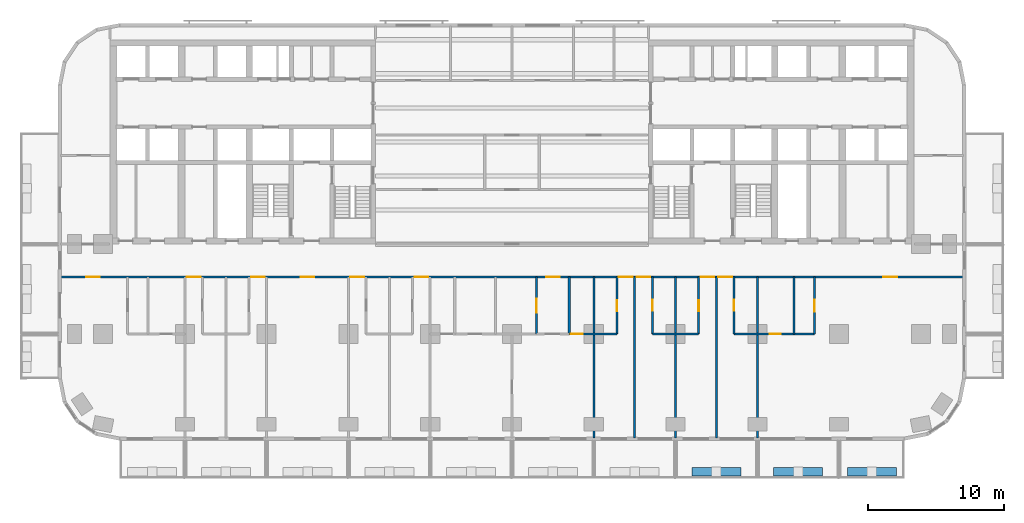
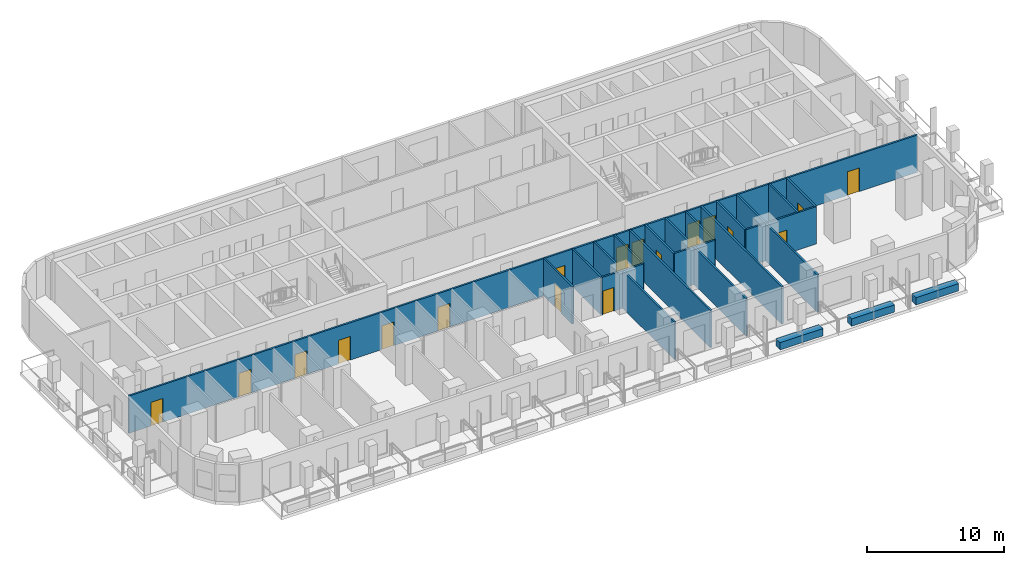
# One storey, part 5 of 13: 20 doors, 20 walls, 20 openings.
"""IFC4 building model written with IfcOpenShell, lengths in metres."""

import ifcopenshell
import ifcopenshell.guid

model = None  # the IFC model being written
_history = None  # IfcOwnerHistory: only IFC2X3 demands one
_inside = {}  # id of a spatial element -> (the spatial element, [elements in it])
_under = {}  # id of a project, library or spatial element -> (it, [spatial elements below it])
_declared = {}  # id of a project -> (the project, [libraries it declares])
_typed = {}  # id of a type object -> (the type object, [elements of that type])
_made_of = {}  # id of a material, layer set ... -> (it, [elements and type objects made of it])


def new_model(schema):
    """Start an empty IFC model of exactly this schema.

    Asked for "IFC4X3", IfcOpenShell would pick the latest addendum, in which some entities
    have other attributes; the version numbers below select the first issue.
    IFC2X3 requires an IfcOwnerHistory on every rooted entity: one is made here for all.
    """
    global model, _history
    if schema == "IFC4X3":
        model = ifcopenshell.file(schema_version=(4, 3, 0, 0))
    else:
        model = ifcopenshell.file(schema=schema)
    _inside.clear()
    _under.clear()
    _declared.clear()
    _typed.clear()
    _made_of.clear()
    _history = None
    if model.schema == "IFC2X3":
        org = make("IfcOrganization", Name="unknown")
        user = make(
            "IfcPersonAndOrganization",
            ThePerson=make("IfcPerson", FamilyName="unknown"),
            TheOrganization=org,
        )
        app = make(
            "IfcApplication",
            ApplicationDeveloper=org,
            Version="unknown",
            ApplicationFullName="unknown",
            ApplicationIdentifier="unknown",
        )
        _history = make(
            "IfcOwnerHistory",
            OwningUser=user,
            OwningApplication=app,
            ChangeAction="ADDED",
            CreationDate=0,
        )
    return model


def make(cls, **values):
    """One entity of the class cls with the attributes given. An attribute that is None is left unset."""
    return model.create_entity(
        cls, **{name: value for name, value in values.items() if value is not None}
    )


def rooted(cls, **values):
    """An entity with a GlobalId (a new one), such as an element, a storey or a relation."""
    return make(cls, GlobalId=ifcopenshell.guid.new(), OwnerHistory=_history, **values)


def si_unit(unit_type, name, prefix=None):
    """IfcSIUnit, for example si_unit("LENGTHUNIT", "METRE", prefix="MILLI")."""
    return make("IfcSIUnit", UnitType=unit_type, Prefix=prefix, Name=name)


def assignment(units):
    """IfcUnitAssignment: the units of a project."""
    return None if units is None else make("IfcUnitAssignment", Units=units)


def point(xyz):
    """IfcCartesianPoint."""
    return None if xyz is None else make("IfcCartesianPoint", Coordinates=xyz)


def direction(xyz):
    """IfcDirection."""
    return None if xyz is None else make("IfcDirection", DirectionRatios=xyz)


def frame(location, z_axis=None, x_axis=None):
    """IfcAxis2Placement3D, a coordinate frame: its origin and axes. An axis left out is left unset."""
    return make(
        "IfcAxis2Placement3D",
        Location=point(location),
        Axis=direction(z_axis),
        RefDirection=direction(x_axis),
    )


def frame_2d(location, x_axis=None):
    """IfcAxis2Placement2D, a coordinate frame in the plane: its origin and x axis."""
    return make(
        "IfcAxis2Placement2D", Location=point(location), RefDirection=direction(x_axis)
    )


def origin():
    """The frame at (0, 0, 0) with its axes left unset."""
    return frame((0.0, 0.0, 0.0))


def place(relative_to, where):
    """IfcLocalPlacement: puts the frame where relative to a parent placement (None: the world)."""
    return make(
        "IfcLocalPlacement", PlacementRelTo=relative_to, RelativePlacement=where
    )


def context(
    kind, dimensions, precision=None, world=None, true_north=None, identifier=None
):
    """IfcGeometricRepresentationContext, for example the 3D "Model" context."""
    return make(
        "IfcGeometricRepresentationContext",
        ContextIdentifier=identifier,
        ContextType=kind,
        CoordinateSpaceDimension=dimensions,
        Precision=precision,
        WorldCoordinateSystem=world,
        TrueNorth=true_north,
    )


def subcontext(parent, identifier, kind, view, scale=None):
    """IfcGeometricRepresentationSubContext, for example "Body" below "Model"."""
    return make(
        "IfcGeometricRepresentationSubContext",
        ContextIdentifier=identifier,
        ContextType=kind,
        ParentContext=parent,
        TargetScale=scale,
        TargetView=view,
    )


def project(units=None, contexts=None):
    """IfcProject with its units and contexts."""
    return rooted(
        "IfcProject",
        Name="project",
        RepresentationContexts=contexts,
        UnitsInContext=assignment(units),
    )


def spatial(cls, under=None, at=None, **own):
    """A site, building, storey or space (cls), placed at a placement, below another one or the project."""
    s = rooted(cls, ObjectPlacement=at, **own)
    if under is not None:
        _under.setdefault(under.id(), (under, []))[1].append(s)
    return s


def profile(cls, at=None, kind="AREA", **sizes):
    """A parametric profile (cls). Its sizes go by their IFC names, for example OverallWidth=200.0."""
    return make(cls, ProfileType=kind, Position=at, **sizes)


def rectangle(**sizes):
    """IfcRectangleProfileDef."""
    return profile("IfcRectangleProfileDef", **sizes)


def extrude(swept, where, along, depth):
    """IfcExtrudedAreaSolid: the profile swept, set in the frame where, extruded along a direction by depth."""
    return make(
        "IfcExtrudedAreaSolid",
        SweptArea=swept,
        Position=where,
        ExtrudedDirection=direction(along),
        Depth=depth,
    )


def shape(context_of_items, identifier, shape_type, items):
    """IfcShapeRepresentation: the items that make up one representation, for example the "Body"."""
    return make(
        "IfcShapeRepresentation",
        ContextOfItems=context_of_items,
        RepresentationIdentifier=identifier,
        RepresentationType=shape_type,
        Items=items,
    )


def material(Name=None, Category=None):
    """IfcMaterial."""
    return make("IfcMaterial", Name=Name, Category=Category)


def layer(
    of_material, thickness, ventilated=None, Name=None, Category=None, Priority=None
):
    """IfcMaterialLayer: one layer of a wall or slab, of a material (None: an air gap)."""
    return make(
        "IfcMaterialLayer",
        Material=of_material,
        LayerThickness=thickness,
        IsVentilated=ventilated,
        Name=Name,
        Category=Category,
        Priority=Priority,
    )


def layer_set(layers, Name=None):
    """IfcMaterialLayerSet."""
    return make("IfcMaterialLayerSet", MaterialLayers=layers, LayerSetName=Name)


def made_of(thing, what):
    """Note that an element or type object is made of a material, layer set ...; save() writes the relation."""
    if what is not None:
        _made_of.setdefault(what.id(), (what, []))[1].append(thing)
    return thing


def type_object(cls, material=None, **own):
    """A type object (cls), such as IfcWallType, which elements share."""
    return made_of(rooted(cls, **own), material)


def element(
    cls,
    number,
    at=None,
    inside=None,
    cuts=None,
    type_object=None,
    material=None,
    context=None,
    identifier="Body",
    shape_type=None,
    held_by="IfcProductDefinitionShape",
    body=None,
    shapes=None,
    **own,
):
    """One element of the class cls, such as IfcWall. Its Tag is "e" and its number.

    at: its placement. inside: the storey or other place that contains it. cuts: it is an
    opening in that element (IfcRelVoidsElement). A single representation is given by context,
    identifier, shape_type and body (its items); several are given by shapes. held_by: the class
    of the entity that holds the representations. save() writes the other relations.
    """
    e = rooted(cls, Tag="e%d" % number, ObjectPlacement=at, **own)
    if body is not None:
        shapes = [shape(context, identifier, shape_type, body)]
    if shapes is not None:
        e.Representation = make(held_by, Representations=shapes)
    if inside is not None:
        _inside.setdefault(inside.id(), (inside, []))[1].append(e)
    if cuts is not None:
        rooted(
            "IfcRelVoidsElement", RelatingBuildingElement=cuts, RelatedOpeningElement=e
        )
    if type_object is not None:
        _typed.setdefault(type_object.id(), (type_object, []))[1].append(e)
    return made_of(e, material)


def fill(opening, filler):
    """IfcRelFillsElement: the door or window that sits in an opening."""
    return rooted(
        "IfcRelFillsElement",
        RelatingOpeningElement=opening,
        RelatedBuildingElement=filler,
    )


def aggregate(whole, parts):
    """IfcRelAggregates: a whole, such as a stair, and the parts it consists of."""
    return rooted("IfcRelAggregates", RelatingObject=whole, RelatedObjects=parts)


def save(model, path):
    """Write the relations noted so far, then the file.

    IfcRelAggregates (storeys below a building ...), IfcRelContainedInSpatialStructure (elements
    in a storey), IfcRelDefinesByType, IfcRelAssociatesMaterial and IfcRelDeclares: one each for
    every whole, place, type object, material and project.
    """
    for whole, parts in _under.values():
        aggregate(whole, parts)
    for where, things in _inside.values():
        rooted(
            "IfcRelContainedInSpatialStructure",
            RelatedElements=things,
            RelatingStructure=where,
        )
    for kind, things in _typed.values():
        rooted("IfcRelDefinesByType", RelatedObjects=things, RelatingType=kind)
    for what, things in _made_of.values():
        rooted("IfcRelAssociatesMaterial", RelatedObjects=things, RelatingMaterial=what)
    for by, libraries in _declared.values():
        rooted("IfcRelDeclares", RelatingContext=by, RelatedDefinitions=libraries)
    model.write(path)


model = new_model("IFC4")

# Units and contexts
model_context = context("Model", 3, precision=1e-05, world=origin(), true_north=direction((0.0, 1.0)))
body_context = subcontext(model_context, "Body", "Model", "MODEL_VIEW")
ifc_project = project(units=[si_unit("LENGTHUNIT", "METRE"), si_unit("AREAUNIT", "SQUARE_METRE"), si_unit("VOLUMEUNIT", "CUBIC_METRE"), si_unit("PLANEANGLEUNIT", "RADIAN"), si_unit("MASSUNIT", "GRAM", prefix="KILO")], contexts=[model_context])

# Site, building, storey
site_placement = place(None, origin())
site = spatial("IfcSite", under=ifc_project, at=site_placement, CompositionType="ELEMENT")
building_placement = place(site_placement, origin())
building = spatial("IfcBuilding", under=site, at=building_placement, Name="Torana Hotel and Residences", CompositionType="ELEMENT")
storey_placement = place(building_placement, frame((0.0, 0.0, 81.60009765625)))
storey = spatial("IfcBuildingStorey", under=building, at=storey_placement, Name="L20", CompositionType="ELEMENT", Elevation=81.60009765625)

# Wall
ifc_material_1 = material(Name="Gypsum plaster")
ifc_layer_1 = layer(ifc_material_1, 0.014892578125, Name="Plaster", Category="finish")
ifc_material_2 = material(Name="Concrete blockwork", Category="masonry")
ifc_layer_2 = layer(ifc_material_2, 0.1201171875, Name="Blockwork", Category="structure")
ifc_layer_3 = layer(ifc_material_1, 0.014892578125, Name="Plaster", Category="finish")
ifc_layer_set_1 = layer_set([ifc_layer_1, ifc_layer_2, ifc_layer_3], Name="FIRE PARTITION 150 BLOCKWORK")
wall_type_1 = type_object("IfcWallType", Name="FIRE PARTITION 150 BLOCKWORK", PredefinedType="PARTITIONING", material=ifc_layer_set_1)
wall_1_placement = place(storey_placement, frame((4.199951171875, -21.60009765625, 0.0), z_axis=(0.0, 0.0, 1.0), x_axis=(0.0, 1.0, 0.0)))
element("IfcWall", 1, at=wall_1_placement, inside=storey, type_object=wall_type_1, Name="Partition L20", PredefinedType="PARTITIONING", context=body_context, shape_type="SweptSolid", body=[
    extrude(rectangle(XDim=4.2001953125, YDim=0.14990234375, at=frame_2d((2.10009765625, 0.0))), origin(), (0.0, 0.0, 1.0), 3.31982421875),
])

# Wall, opening, door
wall_2_placement = place(storey_placement, frame((1.800048828125, -21.60009765625, 0.0), z_axis=(0.0, 0.0, 1.0), x_axis=(0.0, 1.0, 0.0)))
wall_2 = element("IfcWall", 2, at=wall_2_placement, inside=storey, type_object=wall_type_1, Name="Partition L20", PredefinedType="PARTITIONING", context=body_context, shape_type="SweptSolid", body=[
    extrude(rectangle(XDim=4.2001953125, YDim=0.14990234375, at=frame_2d((2.10009765625, 0.0))), origin(), (0.0, 0.0, 1.0), 3.31982421875),
])
opening_1_placement = place(wall_2_placement, frame((1.580078125, 0.0, 0.0)))
opening_1 = element("IfcOpeningElement", 3, at=opening_1_placement, cuts=wall_2, Name="Opening L20-67", PredefinedType="OPENING", context=body_context, shape_type="SweptSolid", body=[
    extrude(rectangle(XDim=1.0, YDim=2.10009765625, at=frame_2d((0.5, 1.050048828125))), frame((0.0, 0.0849609375, 0.0), z_axis=(0.0, -1.0, 0.0), x_axis=(1.0, 0.0, 0.0)), (0.0, 0.0, 1.0), 0.169921875),
])
ifc_material_3 = material(Name="Steel S235", Category="steel")
door_type_1 = type_object("IfcDoorType", Name="ENTRY FIRE DOOR D6 1000x2100", OperationType="SINGLE_SWING_LEFT", PredefinedType="DOOR", material=ifc_material_3)
door_1_placement = place(opening_1_placement, origin())
door_1 = element("IfcDoor", 4, at=door_1_placement, inside=storey, type_object=door_type_1, Name="Door L20", OperationType="SINGLE_SWING_RIGHT", OverallHeight=2.10009765625, OverallWidth=1.0, PredefinedType="DOOR", context=body_context, shape_type="SweptSolid", body=[
    extrude(rectangle(XDim=1.0, YDim=2.10009765625, at=frame_2d((0.5, 1.050048828125))), frame((0.0, 0.02490234375, 0.0), z_axis=(0.0, -1.0, 0.0), x_axis=(1.0, 0.0, 0.0)), (0.0, 0.0, 1.0), 0.050048828125),
])
fill(opening_1, door_1)

# Wall, openings, doors
wall_3_placement = place(storey_placement, frame((-33.1201171875, -17.39990234375, 0.0), z_axis=(0.0, 0.0, 1.0), x_axis=(1.0, 0.0, 0.0)))
wall_3 = element("IfcWall", 5, at=wall_3_placement, inside=storey, type_object=wall_type_1, Name="Partition L20", PredefinedType="PARTITIONING", context=body_context, shape_type="SweptSolid", body=[
    extrude(rectangle(XDim=66.240234375, YDim=0.14990234375, at=frame_2d((33.1201171875, 0.0))), origin(), (0.0, 0.0, 1.0), 3.31982421875),
])
opening_2_placement = place(wall_3_placement, frame((9.27001953125, 0.0, 0.0)))
opening_2 = element("IfcOpeningElement", 6, at=opening_2_placement, cuts=wall_3, Name="Opening L20-38", PredefinedType="OPENING", context=body_context, shape_type="SweptSolid", body=[
    extrude(rectangle(XDim=1.0, YDim=2.10009765625, at=frame_2d((0.5, 1.050048828125))), frame((0.0, 0.0849609375, 0.0), z_axis=(0.0, -1.0, 0.0), x_axis=(1.0, 0.0, 0.0)), (0.0, 0.0, 1.0), 0.169921875),
])
opening_3_placement = place(wall_3_placement, frame((13.969970703125, 0.0, 0.0)))
opening_3 = element("IfcOpeningElement", 7, at=opening_3_placement, cuts=wall_3, Name="Opening L20-39", PredefinedType="OPENING", context=body_context, shape_type="SweptSolid", body=[
    extrude(rectangle(XDim=1.0, YDim=2.10009765625, at=frame_2d((0.5, 1.050048828125))), frame((0.0, 0.0849609375, 0.0), z_axis=(0.0, -1.0, 0.0), x_axis=(1.0, 0.0, 0.0)), (0.0, 0.0, 1.0), 0.169921875),
])
opening_4_placement = place(wall_3_placement, frame((17.6201171875, 0.0, 0.0)))
opening_4 = element("IfcOpeningElement", 8, at=opening_4_placement, cuts=wall_3, Name="Opening L20-40", PredefinedType="OPENING", context=body_context, shape_type="SweptSolid", body=[
    extrude(rectangle(XDim=1.0, YDim=2.10009765625, at=frame_2d((0.5, 1.050048828125))), frame((0.0, 0.0849609375, 0.0), z_axis=(0.0, -1.0, 0.0), x_axis=(1.0, 0.0, 0.0)), (0.0, 0.0, 1.0), 0.169921875),
])
opening_5_placement = place(wall_3_placement, frame((21.27001953125, 0.0, 0.0)))
opening_5 = element("IfcOpeningElement", 9, at=opening_5_placement, cuts=wall_3, Name="Opening L20-41", PredefinedType="OPENING", context=body_context, shape_type="SweptSolid", body=[
    extrude(rectangle(XDim=1.0, YDim=2.10009765625, at=frame_2d((0.5, 1.050048828125))), frame((0.0, 0.0849609375, 0.0), z_axis=(0.0, -1.0, 0.0), x_axis=(1.0, 0.0, 0.0)), (0.0, 0.0, 1.0), 0.169921875),
])
opening_6_placement = place(wall_3_placement, frame((25.969970703125, 0.0, 0.0)))
opening_6 = element("IfcOpeningElement", 10, at=opening_6_placement, cuts=wall_3, Name="Opening L20-42", PredefinedType="OPENING", context=body_context, shape_type="SweptSolid", body=[
    extrude(rectangle(XDim=1.0, YDim=2.10009765625, at=frame_2d((0.5, 1.050048828125))), frame((0.0, 0.0849609375, 0.0), z_axis=(0.0, -1.0, 0.0), x_axis=(1.0, 0.0, 0.0)), (0.0, 0.0, 1.0), 0.169921875),
])
opening_7_placement = place(wall_3_placement, frame((35.6201171875, 0.0, 0.0)))
opening_7 = element("IfcOpeningElement", 11, at=opening_7_placement, cuts=wall_3, Name="Opening L20-43", PredefinedType="OPENING", context=body_context, shape_type="SweptSolid", body=[
    extrude(rectangle(XDim=1.0, YDim=2.10009765625, at=frame_2d((0.5, 1.050048828125))), frame((0.0, 0.0849609375, 0.0), z_axis=(0.0, -1.0, 0.0), x_axis=(1.0, 0.0, 0.0)), (0.0, 0.0, 1.0), 0.169921875),
])
opening_8_placement = place(wall_3_placement, frame((40.969970703125, 0.0, 0.0)))
opening_8 = element("IfcOpeningElement", 12, at=opening_8_placement, cuts=wall_3, Name="Opening L20-44", PredefinedType="OPENING", context=body_context, shape_type="SweptSolid", body=[
    extrude(rectangle(XDim=1.0, YDim=2.10009765625, at=frame_2d((0.5, 1.050048828125))), frame((0.0, 0.0849609375, 0.0), z_axis=(0.0, -1.0, 0.0), x_axis=(1.0, 0.0, 0.0)), (0.0, 0.0, 1.0), 0.169921875),
])
opening_9_placement = place(wall_3_placement, frame((42.27001953125, 0.0, 0.0)))
opening_9 = element("IfcOpeningElement", 13, at=opening_9_placement, cuts=wall_3, Name="Opening L20-45", PredefinedType="OPENING", context=body_context, shape_type="SweptSolid", body=[
    extrude(rectangle(XDim=1.0, YDim=2.10009765625, at=frame_2d((0.5, 1.050048828125))), frame((0.0, 0.0849609375, 0.0), z_axis=(0.0, -1.0, 0.0), x_axis=(1.0, 0.0, 0.0)), (0.0, 0.0, 1.0), 0.169921875),
])
opening_10_placement = place(wall_3_placement, frame((46.969970703125, 0.0, 0.0)))
opening_10 = element("IfcOpeningElement", 14, at=opening_10_placement, cuts=wall_3, Name="Opening L20-46", PredefinedType="OPENING", context=body_context, shape_type="SweptSolid", body=[
    extrude(rectangle(XDim=1.0, YDim=2.10009765625, at=frame_2d((0.5, 1.050048828125))), frame((0.0, 0.0849609375, 0.0), z_axis=(0.0, -1.0, 0.0), x_axis=(1.0, 0.0, 0.0)), (0.0, 0.0, 1.0), 0.169921875),
])
opening_11_placement = place(wall_3_placement, frame((48.27001953125, 0.0, 0.0)))
opening_11 = element("IfcOpeningElement", 15, at=opening_11_placement, cuts=wall_3, Name="Opening L20-47", PredefinedType="OPENING", context=body_context, shape_type="SweptSolid", body=[
    extrude(rectangle(XDim=1.0, YDim=2.10009765625, at=frame_2d((0.5, 1.050048828125))), frame((0.0, 0.0849609375, 0.0), z_axis=(0.0, -1.0, 0.0), x_axis=(1.0, 0.0, 0.0)), (0.0, 0.0, 1.0), 0.169921875),
])
opening_12_placement = place(wall_3_placement, frame((1.8701171875, 0.0, 0.0)))
opening_12 = element("IfcOpeningElement", 16, at=opening_12_placement, cuts=wall_3, Name="Opening L20-48", PredefinedType="OPENING", context=body_context, shape_type="SweptSolid", body=[
    extrude(rectangle(XDim=1.0, YDim=2.10009765625, at=frame_2d((0.5, 1.050048828125))), frame((0.0, 0.0849609375, 0.0), z_axis=(0.0, -1.0, 0.0), x_axis=(1.0, 0.0, 0.0)), (0.0, 0.0, 1.0), 0.169921875),
])
opening_13_placement = place(wall_3_placement, frame((60.3701171875, 0.0, 0.0)))
opening_13 = element("IfcOpeningElement", 17, at=opening_13_placement, cuts=wall_3, Name="Opening L20-49", PredefinedType="OPENING", context=body_context, shape_type="SweptSolid", body=[
    extrude(rectangle(XDim=1.0, YDim=2.10009765625, at=frame_2d((0.5, 1.050048828125))), frame((0.0, 0.0849609375, 0.0), z_axis=(0.0, -1.0, 0.0), x_axis=(1.0, 0.0, 0.0)), (0.0, 0.0, 1.0), 0.169921875),
])
door_2_placement = place(opening_2_placement, frame((0.5, 0.0, 0.0), z_axis=(0.0, 0.0, 1.0), x_axis=(-1.0, 0.0, 0.0)))
door_2 = element("IfcDoor", 18, at=door_2_placement, inside=storey, type_object=door_type_1, Name="Door L20", OperationType="SINGLE_SWING_LEFT", OverallHeight=2.10009765625, OverallWidth=1.0, PredefinedType="DOOR", context=body_context, shape_type="SweptSolid", body=[
    extrude(rectangle(XDim=1.0, YDim=2.10009765625, at=frame_2d((0.0, 1.050048828125))), frame((0.0, -0.02490234375, 0.0), z_axis=(0.0, 1.0, 0.0), x_axis=(-1.0, 0.0, 0.0)), (0.0, 0.0, 1.0), 0.050048828125),
])
fill(opening_2, door_2)
door_3_placement = place(opening_3_placement, frame((0.5, 0.0, 0.0), z_axis=(0.0, 0.0, 1.0), x_axis=(-1.0, 0.0, 0.0)))
door_3 = element("IfcDoor", 19, at=door_3_placement, inside=storey, type_object=door_type_1, Name="Door L20", OperationType="SINGLE_SWING_LEFT", OverallHeight=2.10009765625, OverallWidth=1.0, PredefinedType="DOOR", context=body_context, shape_type="SweptSolid", body=[
    extrude(rectangle(XDim=1.0, YDim=2.10009765625, at=frame_2d((0.0, 1.050048828125))), frame((0.0, -0.02490234375, 0.0), z_axis=(0.0, 1.0, 0.0), x_axis=(-1.0, 0.0, 0.0)), (0.0, 0.0, 1.0), 0.050048828125),
])
fill(opening_3, door_3)
door_4_placement = place(opening_4_placement, frame((0.5, 0.0, 0.0), z_axis=(0.0, 0.0, 1.0), x_axis=(-1.0, 0.0, 0.0)))
door_4 = element("IfcDoor", 20, at=door_4_placement, inside=storey, type_object=door_type_1, Name="Door L20", OperationType="SINGLE_SWING_LEFT", OverallHeight=2.10009765625, OverallWidth=1.0, PredefinedType="DOOR", context=body_context, shape_type="SweptSolid", body=[
    extrude(rectangle(XDim=1.0, YDim=2.10009765625, at=frame_2d((0.0, 1.050048828125))), frame((0.0, -0.02490234375, 0.0), z_axis=(0.0, 1.0, 0.0), x_axis=(-1.0, 0.0, 0.0)), (0.0, 0.0, 1.0), 0.050048828125),
])
fill(opening_4, door_4)
door_5_placement = place(opening_5_placement, frame((0.5, 0.0, 0.0), z_axis=(0.0, 0.0, 1.0), x_axis=(-1.0, 0.0, 0.0)))
door_5 = element("IfcDoor", 21, at=door_5_placement, inside=storey, type_object=door_type_1, Name="Door L20", OperationType="SINGLE_SWING_LEFT", OverallHeight=2.10009765625, OverallWidth=1.0, PredefinedType="DOOR", context=body_context, shape_type="SweptSolid", body=[
    extrude(rectangle(XDim=1.0, YDim=2.10009765625, at=frame_2d((0.0, 1.050048828125))), frame((0.0, -0.02490234375, 0.0), z_axis=(0.0, 1.0, 0.0), x_axis=(-1.0, 0.0, 0.0)), (0.0, 0.0, 1.0), 0.050048828125),
])
fill(opening_5, door_5)
door_6_placement = place(opening_6_placement, frame((0.5, 0.0, 0.0), z_axis=(0.0, 0.0, 1.0), x_axis=(-1.0, 0.0, 0.0)))
door_6 = element("IfcDoor", 22, at=door_6_placement, inside=storey, type_object=door_type_1, Name="Door L20", OperationType="SINGLE_SWING_LEFT", OverallHeight=2.10009765625, OverallWidth=1.0, PredefinedType="DOOR", context=body_context, shape_type="SweptSolid", body=[
    extrude(rectangle(XDim=1.0, YDim=2.10009765625, at=frame_2d((0.0, 1.050048828125))), frame((0.0, -0.02490234375, 0.0), z_axis=(0.0, 1.0, 0.0), x_axis=(-1.0, 0.0, 0.0)), (0.0, 0.0, 1.0), 0.050048828125),
])
fill(opening_6, door_6)
door_7_placement = place(opening_7_placement, origin())
door_7 = element("IfcDoor", 23, at=door_7_placement, inside=storey, type_object=door_type_1, Name="Door L20", OperationType="SINGLE_SWING_RIGHT", OverallHeight=2.10009765625, OverallWidth=1.0, PredefinedType="DOOR", context=body_context, shape_type="SweptSolid", body=[
    extrude(rectangle(XDim=1.0, YDim=2.10009765625, at=frame_2d((0.5, 1.050048828125))), frame((0.0, 0.02490234375, 0.0), z_axis=(0.0, -1.0, 0.0), x_axis=(1.0, 0.0, 0.0)), (0.0, 0.0, 1.0), 0.050048828125),
])
fill(opening_7, door_7)
door_8_placement = place(opening_8_placement, frame((0.5, 0.0, 0.0), z_axis=(0.0, 0.0, 1.0), x_axis=(-1.0, 0.0, 0.0)))
door_8 = element("IfcDoor", 24, at=door_8_placement, inside=storey, type_object=door_type_1, Name="Door L20", OperationType="SINGLE_SWING_LEFT", OverallHeight=2.10009765625, OverallWidth=1.0, PredefinedType="DOOR", context=body_context, shape_type="SweptSolid", body=[
    extrude(rectangle(XDim=1.0, YDim=2.10009765625, at=frame_2d((0.0, 1.050048828125))), frame((0.0, -0.02490234375, 0.0), z_axis=(0.0, 1.0, 0.0), x_axis=(-1.0, 0.0, 0.0)), (0.0, 0.0, 1.0), 0.050048828125),
])
fill(opening_8, door_8)
door_9_placement = place(opening_9_placement, frame((0.5, 0.0, 0.0), z_axis=(0.0, 0.0, 1.0), x_axis=(-1.0, 0.0, 0.0)))
door_9 = element("IfcDoor", 25, at=door_9_placement, inside=storey, type_object=door_type_1, Name="Door L20", OperationType="SINGLE_SWING_LEFT", OverallHeight=2.10009765625, OverallWidth=1.0, PredefinedType="DOOR", context=body_context, shape_type="SweptSolid", body=[
    extrude(rectangle(XDim=1.0, YDim=2.10009765625, at=frame_2d((0.0, 1.050048828125))), frame((0.0, -0.02490234375, 0.0), z_axis=(0.0, 1.0, 0.0), x_axis=(-1.0, 0.0, 0.0)), (0.0, 0.0, 1.0), 0.050048828125),
])
fill(opening_9, door_9)
door_10_placement = place(opening_10_placement, frame((0.5, 0.0, 0.0), z_axis=(0.0, 0.0, 1.0), x_axis=(-1.0, 0.0, 0.0)))
door_10 = element("IfcDoor", 26, at=door_10_placement, inside=storey, type_object=door_type_1, Name="Door L20", OperationType="SINGLE_SWING_LEFT", OverallHeight=2.10009765625, OverallWidth=1.0, PredefinedType="DOOR", context=body_context, shape_type="SweptSolid", body=[
    extrude(rectangle(XDim=1.0, YDim=2.10009765625, at=frame_2d((0.0, 1.050048828125))), frame((0.0, -0.02490234375, 0.0), z_axis=(0.0, 1.0, 0.0), x_axis=(-1.0, 0.0, 0.0)), (0.0, 0.0, 1.0), 0.050048828125),
])
fill(opening_10, door_10)
door_11_placement = place(opening_11_placement, frame((0.5, 0.0, 0.0), z_axis=(0.0, 0.0, 1.0), x_axis=(-1.0, 0.0, 0.0)))
door_11 = element("IfcDoor", 27, at=door_11_placement, inside=storey, type_object=door_type_1, Name="Door L20", OperationType="SINGLE_SWING_LEFT", OverallHeight=2.10009765625, OverallWidth=1.0, PredefinedType="DOOR", context=body_context, shape_type="SweptSolid", body=[
    extrude(rectangle(XDim=1.0, YDim=2.10009765625, at=frame_2d((0.0, 1.050048828125))), frame((0.0, -0.02490234375, 0.0), z_axis=(0.0, 1.0, 0.0), x_axis=(-1.0, 0.0, 0.0)), (0.0, 0.0, 1.0), 0.050048828125),
])
fill(opening_11, door_11)
door_12_placement = place(opening_12_placement, frame((0.5, 0.0, 0.0), z_axis=(0.0, 0.0, 1.0), x_axis=(-1.0, 0.0, 0.0)))
door_12 = element("IfcDoor", 28, at=door_12_placement, inside=storey, type_object=door_type_1, Name="Door L20", OperationType="SINGLE_SWING_LEFT", OverallHeight=2.10009765625, OverallWidth=1.0, PredefinedType="DOOR", context=body_context, shape_type="SweptSolid", body=[
    extrude(rectangle(XDim=1.0, YDim=2.10009765625, at=frame_2d((0.0, 1.050048828125))), frame((0.0, -0.02490234375, 0.0), z_axis=(0.0, 1.0, 0.0), x_axis=(-1.0, 0.0, 0.0)), (0.0, 0.0, 1.0), 0.050048828125),
])
fill(opening_12, door_12)
door_13_placement = place(opening_13_placement, frame((0.5, 0.0, 0.0), z_axis=(0.0, 0.0, 1.0), x_axis=(-1.0, 0.0, 0.0)))
door_13 = element("IfcDoor", 29, at=door_13_placement, inside=storey, type_object=door_type_1, Name="Door L20", OperationType="SINGLE_SWING_LEFT", OverallHeight=2.10009765625, OverallWidth=1.0, PredefinedType="DOOR", context=body_context, shape_type="SweptSolid", body=[
    extrude(rectangle(XDim=1.0, YDim=2.10009765625, at=frame_2d((0.0, 1.050048828125))), frame((0.0, -0.02490234375, 0.0), z_axis=(0.0, 1.0, 0.0), x_axis=(-1.0, 0.0, 0.0)), (0.0, 0.0, 1.0), 0.050048828125),
])
fill(opening_13, door_13)

# Wall, opening, door
ifc_material_4 = material(Name="Gypsum plasterboard")
ifc_layer_4 = layer(ifc_material_4, 0.012451171875, Name="Plasterboard", Category="finish")
ifc_layer_5 = layer(ifc_material_4, 0.012451171875, Name="Plasterboard", Category="finish")
ifc_material_5 = material(Name="Steel S280GD", Category="steel")
ifc_layer_6 = layer(ifc_material_5, 0.10009765625, Name="Steel studs with mineral wool", Category="insulation")
ifc_layer_7 = layer(ifc_material_4, 0.012451171875, Name="Plasterboard", Category="finish")
ifc_layer_8 = layer(ifc_material_4, 0.012451171875, Name="Plasterboard", Category="finish")
ifc_layer_set_2 = layer_set([ifc_layer_4, ifc_layer_5, ifc_layer_6, ifc_layer_7, ifc_layer_8], Name="PARTITION 150 PLASTERBOARD")
wall_type_2 = type_object("IfcWallType", Name="PARTITION 150 PLASTERBOARD", PredefinedType="PARTITIONING", material=ifc_layer_set_2)
wall_4_placement = place(storey_placement, frame((22.199951171875, -21.60009765625, 0.0), z_axis=(0.0, 0.0, 1.0), x_axis=(0.0, 1.0, 0.0)))
wall_4 = element("IfcWall", 30, at=wall_4_placement, inside=storey, type_object=wall_type_2, Name="Partition L20", PredefinedType="PARTITIONING", context=body_context, shape_type="SweptSolid", body=[
    extrude(rectangle(XDim=4.2001953125, YDim=0.14990234375, at=frame_2d((2.10009765625, 0.0))), origin(), (0.0, 0.0, 1.0), 3.31982421875),
])
opening_14_placement = place(wall_4_placement, frame((1.6298828125, 0.0, 0.0)))
opening_14 = element("IfcOpeningElement", 31, at=opening_14_placement, cuts=wall_4, Name="Opening L20-78", PredefinedType="OPENING", context=body_context, shape_type="SweptSolid", body=[
    extrude(rectangle(XDim=0.89990234375, YDim=2.10009765625, at=frame_2d((0.449951171875, 1.050048828125))), frame((0.0, 0.0849609375, 0.0), z_axis=(0.0, -1.0, 0.0), x_axis=(1.0, 0.0, 0.0)), (0.0, 0.0, 1.0), 0.169921875),
])
ifc_material_6 = material(Name="Timber door, oiled ash", Category="wood")
door_type_2 = type_object("IfcDoorType", Name="ROOM DOOR D7 900x2100", OperationType="SINGLE_SWING_LEFT", PredefinedType="DOOR", material=ifc_material_6)
door_14_placement = place(opening_14_placement, origin())
door_14 = element("IfcDoor", 32, at=door_14_placement, inside=storey, type_object=door_type_2, Name="Door L20", OperationType="SINGLE_SWING_RIGHT", OverallHeight=2.10009765625, OverallWidth=0.89990234375, PredefinedType="DOOR", context=body_context, shape_type="SweptSolid", body=[
    extrude(rectangle(XDim=0.89990234375, YDim=2.10009765625, at=frame_2d((0.449951171875, 1.050048828125))), frame((0.0, 0.02490234375, 0.0), z_axis=(0.0, -1.0, 0.0), x_axis=(1.0, 0.0, 0.0)), (0.0, 0.0, 1.0), 0.050048828125),
])
fill(opening_14, door_14)

# Walls
wall_5_placement = place(storey_placement, frame((20.699951171875, -21.60009765625, 0.0), z_axis=(0.0, 0.0, 1.0), x_axis=(0.0, 1.0, 0.0)))
element("IfcWall", 33, at=wall_5_placement, inside=storey, type_object=wall_type_2, Name="Partition L20", PredefinedType="PARTITIONING", context=body_context, shape_type="SweptSolid", body=[
    extrude(rectangle(XDim=4.2001953125, YDim=0.14990234375, at=frame_2d((2.10009765625, 0.0))), origin(), (0.0, 0.0, 1.0), 3.31982421875),
])
wall_6_placement = place(storey_placement, frame((18.0, -29.219970703125, 0.0), z_axis=(0.0, 0.0, 1.0), x_axis=(0.0, 1.0, 0.0)))
element("IfcWall", 34, at=wall_6_placement, inside=storey, type_object=wall_type_2, Name="Partition L20", PredefinedType="PARTITIONING", context=body_context, shape_type="SweptSolid", body=[
    extrude(rectangle(XDim=11.820068359375, YDim=0.14990234375, at=frame_2d((5.91015625, 0.0))), origin(), (0.0, 0.0, 1.0), 3.31982421875),
])

# Wall, opening, door
wall_7_placement = place(storey_placement, frame((16.300048828125, -21.60009765625, 0.0), z_axis=(0.0, 0.0, 1.0), x_axis=(0.0, 1.0, 0.0)))
wall_7 = element("IfcWall", 35, at=wall_7_placement, inside=storey, type_object=wall_type_2, Name="Partition L20", PredefinedType="PARTITIONING", context=body_context, shape_type="SweptSolid", body=[
    extrude(rectangle(XDim=4.2001953125, YDim=0.14990234375, at=frame_2d((2.10009765625, 0.0))), origin(), (0.0, 0.0, 1.0), 3.31982421875),
])
opening_15_placement = place(wall_7_placement, frame((1.719970703125, 0.0, 0.0)))
opening_15 = element("IfcOpeningElement", 36, at=opening_15_placement, cuts=wall_7, Name="Opening L20-74", PredefinedType="OPENING", context=body_context, shape_type="SweptSolid", body=[
    extrude(rectangle(XDim=0.800048828125, YDim=2.10009765625, at=frame_2d((0.39990234375, 1.050048828125))), frame((0.0, 0.0849609375, 0.0), z_axis=(0.0, -1.0, 0.0), x_axis=(1.0, 0.0, 0.0)), (0.0, 0.0, 1.0), 0.169921875),
])
ifc_material_7 = material(Name="Timber door, painted", Category="wood")
door_type_3 = type_object("IfcDoorType", Name="BATH DOOR D13 800x2100", OperationType="SINGLE_SWING_LEFT", PredefinedType="DOOR", material=ifc_material_7)
door_15_placement = place(opening_15_placement, origin())
door_15 = element("IfcDoor", 37, at=door_15_placement, inside=storey, type_object=door_type_3, Name="Door L20", OperationType="SINGLE_SWING_RIGHT", OverallHeight=2.10009765625, OverallWidth=0.800048828125, PredefinedType="DOOR", context=body_context, shape_type="SweptSolid", body=[
    extrude(rectangle(XDim=0.800048828125, YDim=2.10009765625, at=frame_2d((0.39990234375, 1.050048828125))), frame((0.0, 0.02490234375, 0.0), z_axis=(0.0, -1.0, 0.0), x_axis=(1.0, 0.0, 0.0)), (0.0, 0.0, 1.0), 0.050048828125),
])
fill(opening_15, door_15)

# Wall
wall_8_placement = place(storey_placement, frame((15.0, -29.219970703125, 0.0), z_axis=(0.0, 0.0, 1.0), x_axis=(0.0, 1.0, 0.0)))
element("IfcWall", 38, at=wall_8_placement, inside=storey, type_object=wall_type_2, Name="Partition L20", PredefinedType="PARTITIONING", context=body_context, shape_type="SweptSolid", body=[
    extrude(rectangle(XDim=11.820068359375, YDim=0.14990234375, at=frame_2d((5.91015625, 0.0))), origin(), (0.0, 0.0, 1.0), 3.31982421875),
])

# Wall, opening, door
wall_9_placement = place(storey_placement, frame((13.699951171875, -21.60009765625, 0.0), z_axis=(0.0, 0.0, 1.0), x_axis=(0.0, 1.0, 0.0)))
wall_9 = element("IfcWall", 39, at=wall_9_placement, inside=storey, type_object=wall_type_2, Name="Partition L20", PredefinedType="PARTITIONING", context=body_context, shape_type="SweptSolid", body=[
    extrude(rectangle(XDim=4.2001953125, YDim=0.14990234375, at=frame_2d((2.10009765625, 0.0))), origin(), (0.0, 0.0, 1.0), 3.31982421875),
])
opening_16_placement = place(wall_9_placement, frame((1.679931640625, 0.0, 0.0)))
opening_16 = element("IfcOpeningElement", 40, at=opening_16_placement, cuts=wall_9, Name="Opening L20-73", PredefinedType="OPENING", context=body_context, shape_type="SweptSolid", body=[
    extrude(rectangle(XDim=0.800048828125, YDim=2.10009765625, at=frame_2d((0.39990234375, 1.050048828125))), frame((0.0, 0.0849609375, 0.0), z_axis=(0.0, -1.0, 0.0), x_axis=(1.0, 0.0, 0.0)), (0.0, 0.0, 1.0), 0.169921875),
])
door_16_placement = place(opening_16_placement, origin())
door_16 = element("IfcDoor", 41, at=door_16_placement, inside=storey, type_object=door_type_3, Name="Door L20", OperationType="SINGLE_SWING_RIGHT", OverallHeight=2.10009765625, OverallWidth=0.800048828125, PredefinedType="DOOR", context=body_context, shape_type="SweptSolid", body=[
    extrude(rectangle(XDim=0.800048828125, YDim=2.10009765625, at=frame_2d((0.39990234375, 1.050048828125))), frame((0.0, 0.02490234375, 0.0), z_axis=(0.0, -1.0, 0.0), x_axis=(1.0, 0.0, 0.0)), (0.0, 0.0, 1.0), 0.050048828125),
])
fill(opening_16, door_16)

# Wall
wall_10_placement = place(storey_placement, frame((12.0, -29.219970703125, 0.0), z_axis=(0.0, 0.0, 1.0), x_axis=(0.0, 1.0, 0.0)))
element("IfcWall", 42, at=wall_10_placement, inside=storey, type_object=wall_type_2, Name="Partition L20", PredefinedType="PARTITIONING", context=body_context, shape_type="SweptSolid", body=[
    extrude(rectangle(XDim=11.820068359375, YDim=0.14990234375, at=frame_2d((5.91015625, 0.0))), origin(), (0.0, 0.0, 1.0), 3.31982421875),
])

# Wall, opening, door
wall_11_placement = place(storey_placement, frame((10.300048828125, -21.60009765625, 0.0), z_axis=(0.0, 0.0, 1.0), x_axis=(0.0, 1.0, 0.0)))
wall_11 = element("IfcWall", 43, at=wall_11_placement, inside=storey, type_object=wall_type_2, Name="Partition L20", PredefinedType="PARTITIONING", context=body_context, shape_type="SweptSolid", body=[
    extrude(rectangle(XDim=4.2001953125, YDim=0.14990234375, at=frame_2d((2.10009765625, 0.0))), origin(), (0.0, 0.0, 1.0), 3.31982421875),
])
opening_17_placement = place(wall_11_placement, frame((1.719970703125, 0.0, 0.0)))
opening_17 = element("IfcOpeningElement", 44, at=opening_17_placement, cuts=wall_11, Name="Opening L20-72", PredefinedType="OPENING", context=body_context, shape_type="SweptSolid", body=[
    extrude(rectangle(XDim=0.800048828125, YDim=2.10009765625, at=frame_2d((0.39990234375, 1.050048828125))), frame((0.0, 0.0849609375, 0.0), z_axis=(0.0, -1.0, 0.0), x_axis=(1.0, 0.0, 0.0)), (0.0, 0.0, 1.0), 0.169921875),
])
door_17_placement = place(opening_17_placement, origin())
door_17 = element("IfcDoor", 45, at=door_17_placement, inside=storey, type_object=door_type_3, Name="Door L20", OperationType="SINGLE_SWING_RIGHT", OverallHeight=2.10009765625, OverallWidth=0.800048828125, PredefinedType="DOOR", context=body_context, shape_type="SweptSolid", body=[
    extrude(rectangle(XDim=0.800048828125, YDim=2.10009765625, at=frame_2d((0.39990234375, 1.050048828125))), frame((0.0, 0.02490234375, 0.0), z_axis=(0.0, -1.0, 0.0), x_axis=(1.0, 0.0, 0.0)), (0.0, 0.0, 1.0), 0.050048828125),
])
fill(opening_17, door_17)

# Wall
wall_12_placement = place(storey_placement, frame((9.0, -29.219970703125, 0.0), z_axis=(0.0, 0.0, 1.0), x_axis=(0.0, 1.0, 0.0)))
element("IfcWall", 46, at=wall_12_placement, inside=storey, type_object=wall_type_2, Name="Partition L20", PredefinedType="PARTITIONING", context=body_context, shape_type="SweptSolid", body=[
    extrude(rectangle(XDim=11.820068359375, YDim=0.14990234375, at=frame_2d((5.91015625, 0.0))), origin(), (0.0, 0.0, 1.0), 3.31982421875),
])

# Wall, opening, door
wall_13_placement = place(storey_placement, frame((7.699951171875, -21.60009765625, 0.0), z_axis=(0.0, 0.0, 1.0), x_axis=(0.0, 1.0, 0.0)))
wall_13 = element("IfcWall", 47, at=wall_13_placement, inside=storey, type_object=wall_type_2, Name="Partition L20", PredefinedType="PARTITIONING", context=body_context, shape_type="SweptSolid", body=[
    extrude(rectangle(XDim=4.2001953125, YDim=0.14990234375, at=frame_2d((2.10009765625, 0.0))), origin(), (0.0, 0.0, 1.0), 3.31982421875),
])
opening_18_placement = place(wall_13_placement, frame((1.679931640625, 0.0, 0.0)))
opening_18 = element("IfcOpeningElement", 48, at=opening_18_placement, cuts=wall_13, Name="Opening L20-71", PredefinedType="OPENING", context=body_context, shape_type="SweptSolid", body=[
    extrude(rectangle(XDim=0.800048828125, YDim=2.10009765625, at=frame_2d((0.39990234375, 1.050048828125))), frame((0.0, 0.0849609375, 0.0), z_axis=(0.0, -1.0, 0.0), x_axis=(1.0, 0.0, 0.0)), (0.0, 0.0, 1.0), 0.169921875),
])
door_18_placement = place(opening_18_placement, origin())
door_18 = element("IfcDoor", 49, at=door_18_placement, inside=storey, type_object=door_type_3, Name="Door L20", OperationType="SINGLE_SWING_RIGHT", OverallHeight=2.10009765625, OverallWidth=0.800048828125, PredefinedType="DOOR", context=body_context, shape_type="SweptSolid", body=[
    extrude(rectangle(XDim=0.800048828125, YDim=2.10009765625, at=frame_2d((0.39990234375, 1.050048828125))), frame((0.0, 0.02490234375, 0.0), z_axis=(0.0, -1.0, 0.0), x_axis=(1.0, 0.0, 0.0)), (0.0, 0.0, 1.0), 0.050048828125),
])
fill(opening_18, door_18)

# Wall
wall_14_placement = place(storey_placement, frame((6.0, -29.219970703125, 0.0), z_axis=(0.0, 0.0, 1.0), x_axis=(0.0, 1.0, 0.0)))
element("IfcWall", 50, at=wall_14_placement, inside=storey, type_object=wall_type_2, Name="Partition L20", PredefinedType="PARTITIONING", context=body_context, shape_type="SweptSolid", body=[
    extrude(rectangle(XDim=11.820068359375, YDim=0.14990234375, at=frame_2d((5.91015625, 0.0))), origin(), (0.0, 0.0, 1.0), 3.31982421875),
])

# Wall, opening, door
wall_15_placement = place(storey_placement, frame((4.199951171875, -21.60009765625, 0.0), z_axis=(0.0, 0.0, 1.0), x_axis=(1.0, 0.0, 0.0)))
wall_15 = element("IfcWall", 51, at=wall_15_placement, inside=storey, type_object=wall_type_2, Name="Partition L20", PredefinedType="PARTITIONING", context=body_context, shape_type="SweptSolid", body=[
    extrude(rectangle(XDim=3.5, YDim=0.14990234375, at=frame_2d((1.75, 0.0))), origin(), (0.0, 0.0, 1.0), 3.31982421875),
])
opening_19_placement = place(wall_15_placement, frame((0.10009765625, 0.0, 0.0)))
opening_19 = element("IfcOpeningElement", 52, at=opening_19_placement, cuts=wall_15, Name="Opening L20-69", PredefinedType="OPENING", context=body_context, shape_type="SweptSolid", body=[
    extrude(rectangle(XDim=0.89990234375, YDim=2.10009765625, at=frame_2d((0.449951171875, 1.050048828125))), frame((0.0, 0.0849609375, 0.0), z_axis=(0.0, -1.0, 0.0), x_axis=(1.0, 0.0, 0.0)), (0.0, 0.0, 1.0), 0.169921875),
])
door_19_placement = place(opening_19_placement, frame((0.449951171875, 0.0, 0.0), z_axis=(0.0, 0.0, 1.0), x_axis=(-1.0, 0.0, 0.0)))
door_19 = element("IfcDoor", 53, at=door_19_placement, inside=storey, type_object=door_type_2, Name="Door L20", OperationType="SINGLE_SWING_RIGHT", OverallHeight=2.10009765625, OverallWidth=0.89990234375, PredefinedType="DOOR", context=body_context, shape_type="SweptSolid", body=[
    extrude(rectangle(XDim=0.89990234375, YDim=2.10009765625, at=frame_2d((0.0, 1.050048828125))), frame((0.0, -0.02490234375, 0.0), z_axis=(0.0, 1.0, 0.0), x_axis=(-1.0, 0.0, 0.0)), (0.0, 0.0, 1.0), 0.050048828125),
])
fill(opening_19, door_19)

# Wall
wall_16_placement = place(storey_placement, frame((10.300048828125, -21.60009765625, 0.0), z_axis=(0.0, 0.0, 1.0), x_axis=(1.0, 0.0, 0.0)))
element("IfcWall", 54, at=wall_16_placement, inside=storey, type_object=wall_type_2, Name="Partition L20", PredefinedType="PARTITIONING", context=body_context, shape_type="SweptSolid", body=[
    extrude(rectangle(XDim=3.39990234375, YDim=0.14990234375, at=frame_2d((1.699951171875, 0.0))), origin(), (0.0, 0.0, 1.0), 3.31982421875),
])

# Wall, opening, door
wall_17_placement = place(storey_placement, frame((16.300048828125, -21.60009765625, 0.0), z_axis=(0.0, 0.0, 1.0), x_axis=(1.0, 0.0, 0.0)))
wall_17 = element("IfcWall", 55, at=wall_17_placement, inside=storey, type_object=wall_type_2, Name="Partition L20", PredefinedType="PARTITIONING", context=body_context, shape_type="SweptSolid", body=[
    extrude(rectangle(XDim=5.89990234375, YDim=0.14990234375, at=frame_2d((2.949951171875, 0.0))), origin(), (0.0, 0.0, 1.0), 3.31982421875),
])
opening_20_placement = place(wall_17_placement, frame((2.6298828125, 0.0, 0.0)))
opening_20 = element("IfcOpeningElement", 56, at=opening_20_placement, cuts=wall_17, Name="Opening L20-77", PredefinedType="OPENING", context=body_context, shape_type="SweptSolid", body=[
    extrude(rectangle(XDim=0.800048828125, YDim=2.10009765625, at=frame_2d((0.39990234375, 1.050048828125))), frame((0.0, 0.0849609375, 0.0), z_axis=(0.0, -1.0, 0.0), x_axis=(1.0, 0.0, 0.0)), (0.0, 0.0, 1.0), 0.169921875),
])
door_20_placement = place(opening_20_placement, origin())
door_20 = element("IfcDoor", 57, at=door_20_placement, inside=storey, type_object=door_type_3, Name="Door L20", OperationType="SINGLE_SWING_RIGHT", OverallHeight=2.10009765625, OverallWidth=0.800048828125, PredefinedType="DOOR", context=body_context, shape_type="SweptSolid", body=[
    extrude(rectangle(XDim=0.800048828125, YDim=2.10009765625, at=frame_2d((0.39990234375, 1.050048828125))), frame((0.0, 0.02490234375, 0.0), z_axis=(0.0, -1.0, 0.0), x_axis=(1.0, 0.0, 0.0)), (0.0, 0.0, 1.0), 0.050048828125),
])
fill(opening_20, door_20)

# Walls
ifc_material_8 = material(Name="Concrete C40/50 precast", Category="concrete")
ifc_layer_9 = layer(ifc_material_8, 0.10009765625, Name="Planter shell", Category="structure")
ifc_material_9 = material(Name="Root resistant membrane")
ifc_layer_10 = layer(ifc_material_9, 0.00390625, Name="Waterproofing membrane", Category="membrane")
ifc_material_10 = material(Name="Drainage board with filter fleece")
ifc_layer_11 = layer(ifc_material_10, 0.02001953125, Name="Drainage board", Category="drainage")
ifc_material_11 = material(Name="Growing medium")
ifc_layer_12 = layer(ifc_material_11, 0.47607421875, Name="Planting substrate", Category="soil")
ifc_layer_set_3 = layer_set([ifc_layer_9, ifc_layer_10, ifc_layer_11, ifc_layer_12], Name="PL1 BALCONY PLANTER 600")
wall_type_3 = type_object("IfcWallType", Name="PL1 BALCONY PLANTER 600", PredefinedType="USERDEFINED", material=ifc_layer_set_3)
for number, where, z_axis, x_axis, name in (
    (58, (16.800048828125, -31.699951171875, 0.0), (0.0, 0.0, 1.0), (-1.0, 0.0, 0.0), "Planter 08"),
    (59, (22.800048828125, -31.699951171875, 0.0), (0.0, 0.0, 1.0), (-1.0, 0.0, 0.0), "Planter 09"),
):
    element("IfcWall", number, at=place(storey_placement, frame(where, z_axis=z_axis, x_axis=x_axis)), inside=storey, type_object=wall_type_3, Name=name, ObjectType="PLANTER", PredefinedType="USERDEFINED", context=body_context, shape_type="SweptSolid", body=[
        extrude(rectangle(XDim=3.60009765625, YDim=0.60009765625, at=frame_2d((1.800048828125, 0.0))), origin(), (0.0, 0.0, 1.0), 0.64990234375),
    ])
wall_18_placement = place(storey_placement, frame((28.199951171875, -31.699951171875, 0.0), z_axis=(0.0, 0.0, 1.0), x_axis=(-1.0, 0.0, 0.0)))
element("IfcWall", 60, at=wall_18_placement, inside=storey, type_object=wall_type_3, Name="Planter 10", ObjectType="PLANTER", PredefinedType="USERDEFINED", context=body_context, shape_type="SweptSolid", body=[
    extrude(rectangle(XDim=3.599853515625, YDim=0.60009765625, at=frame_2d((1.7998046875, 0.0))), origin(), (0.0, 0.0, 1.0), 0.64990234375),
])

save(model, "model.ifc")
